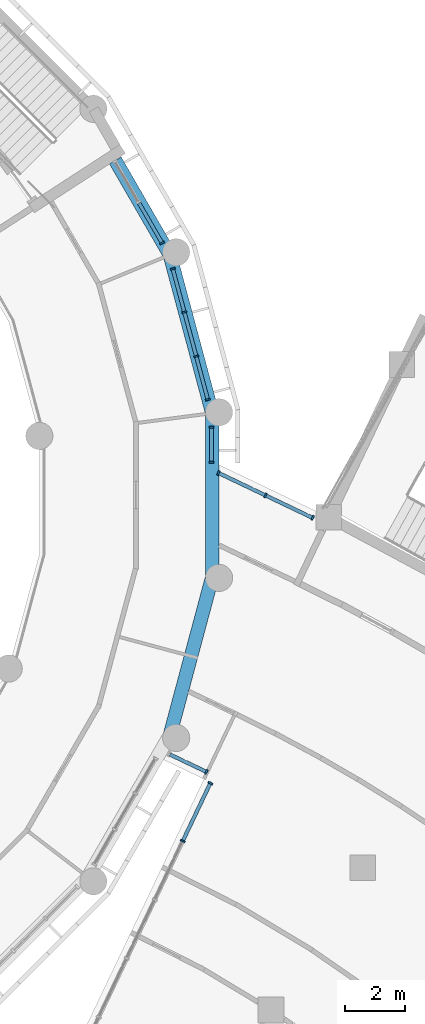
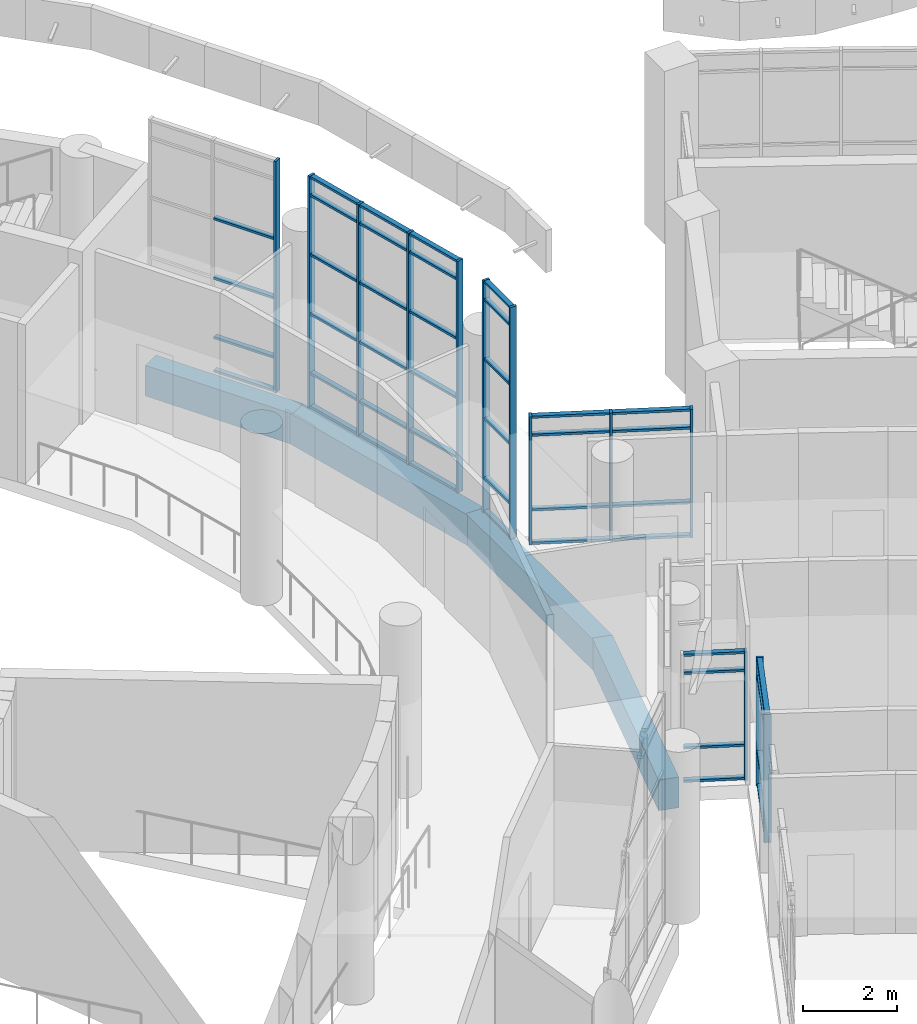
# One storey, part 15 of 136: 57 members, 4 beams, 6 elements without a shape of their own.
"""IFC4 building model written with IfcOpenShell, lengths in metres."""

from ifc_helpers import new_model, si_unit, direction, frame, origin, origin_2d, place, context, subcontext, project, spatial, rectangle, extrude, material, material_profile, profile_set, type_object, element, aggregate, save


model = new_model("IFC4")

# Units and contexts
model_context = context("Model", 3, precision=1e-05, world=origin(), true_north=direction((0.0, 1.0)))
body_context = subcontext(model_context, "Body", "Model", "MODEL_VIEW")
ifc_project = project(units=[si_unit("LENGTHUNIT", "METRE"), si_unit("AREAUNIT", "SQUARE_METRE"), si_unit("VOLUMEUNIT", "CUBIC_METRE"), si_unit("PLANEANGLEUNIT", "RADIAN"), si_unit("MASSUNIT", "GRAM", prefix="KILO")], contexts=[model_context])

# Site, building, storey
site_placement = place(None, origin())
site = spatial("IfcSite", under=ifc_project, at=site_placement, CompositionType="ELEMENT")
building_placement = place(site_placement, origin())
building = spatial("IfcBuilding", under=site, at=building_placement, Name="Bougainvillea Quay General Hospital", CompositionType="ELEMENT")
storey_placement = place(building_placement, frame((0.0, 0.0, 5.39990234375)))
storey = spatial("IfcBuildingStorey", under=building, at=storey_placement, Name="L01", CompositionType="ELEMENT", Elevation=5.39990234375)

# Curtain wall, member
ifc_material_1 = material(Name="Aluminium curtain wall system, powder-coated glazed", Category="aluminium")
curtain_wall_type_1 = type_object("IfcCurtainWallType", Name="Unitised curtain wall CW-1422", PredefinedType="NOTDEFINED", material=ifc_material_1)
curtain_wall_1_placement = place(storey_placement, origin())
curtain_wall_1 = element("IfcCurtainWall", 1, at=curtain_wall_1_placement, inside=storey, type_object=curtain_wall_type_1, Name="CW-AE 00", PredefinedType="NOTDEFINED")
ifc_material_2 = material(Name="Aluminium mullion, powder-coated charcoal", Category="aluminium")
ifc_material_profile_1 = material_profile(ifc_material_2, rectangle(XDim=0.159912109375, YDim=0.06005859375, at=origin_2d()))
ifc_profile_set_1 = profile_set([ifc_material_profile_1], Name="Aluminium mullion, powder-coated charcoal")
member_type_1 = type_object("IfcMemberType", Name="Curtain wall mullion 160x60", PredefinedType="MULLION", material=ifc_profile_set_1)
member_1_placement = place(storey_placement, frame((129.6005859375, 64.840576171875, 0.0), z_axis=(0.0, 0.0, 1.0), x_axis=(0.430534245195, 0.902574242771, 0.0)))
member_1 = element("IfcMember", 2, at=member_1_placement, type_object=member_type_1, Name="CW-AE mullion 2", PredefinedType="MULLION", context=body_context, shape_type="SweptSolid", body=[
    extrude(rectangle(XDim=0.159912109375, YDim=0.06005859375, at=origin_2d()), origin(), (0.0, 0.0, 1.0), 3.35009765625),
])

# Curtain wall, members
curtain_wall_type_2 = type_object("IfcCurtainWallType", Name="Unitised curtain wall CW-2152", PredefinedType="NOTDEFINED", material=ifc_material_1)
curtain_wall_2_placement = place(storey_placement, origin())
curtain_wall_2 = element("IfcCurtainWall", 3, at=curtain_wall_2_placement, inside=storey, type_object=curtain_wall_type_2, Name="CW-AE 00", PredefinedType="NOTDEFINED")
member_2_placement = place(storey_placement, frame((129.732666015625, 64.46728515625, 0.0), z_axis=(0.0, 0.0, 1.0), x_axis=(0.902576055431, -0.430530445105, 0.0)))
member_2 = element("IfcMember", 4, at=member_2_placement, type_object=member_type_1, Name="CW-AE mullion 1", PredefinedType="MULLION", context=body_context, shape_type="SweptSolid", body=[
    extrude(rectangle(XDim=0.159912109375, YDim=0.06005859375, at=origin_2d()), origin(), (0.0, 0.0, 1.0), 3.35009765625),
])
member_3_placement = place(storey_placement, frame((128.819580078125, 62.552978515625, 0.0), z_axis=(0.0, 0.0, 1.0), x_axis=(0.902576055431, -0.430530445105, 0.0)))
member_3 = element("IfcMember", 5, at=member_3_placement, type_object=member_type_1, Name="CW-AE mullion 2", PredefinedType="MULLION", context=body_context, shape_type="SweptSolid", body=[
    extrude(rectangle(XDim=0.159912109375, YDim=0.06005859375, at=origin_2d()), origin(), (0.0, 0.0, 1.0), 3.35009765625),
])

curtain_wall_type_3 = type_object("IfcCurtainWallType", Name="Unitised curtain wall CW-1757", PredefinedType="NOTDEFINED", material=ifc_material_1)
curtain_wall_3_placement = place(storey_placement, origin())
curtain_wall_3 = element("IfcCurtainWall", 6, at=curtain_wall_3_placement, inside=storey, type_object=curtain_wall_type_3, Name="CW-AE 00", PredefinedType="NOTDEFINED")
member_4_placement = place(storey_placement, frame((133.11669921875, 73.245849609375, 0.0), z_axis=(0.0, 0.0, 1.0), x_axis=(-0.430463026068, -0.902608211345, 0.0)))
member_4 = element("IfcMember", 7, at=member_4_placement, type_object=member_type_1, Name="CW-AE mullion 1", PredefinedType="MULLION", context=body_context, shape_type="SweptSolid", body=[
    extrude(rectangle(XDim=0.159912109375, YDim=0.06005859375, at=origin_2d()), origin(), (0.0, 0.0, 1.0), 3.35009765625),
])
member_5_placement = place(storey_placement, frame((131.55810546875, 73.989013671875, 0.0), z_axis=(0.0, 0.0, 1.0), x_axis=(-0.430463026068, -0.902608211345, 0.0)))
member_5 = element("IfcMember", 8, at=member_5_placement, type_object=member_type_1, Name="CW-AE mullion 2", PredefinedType="MULLION", context=body_context, shape_type="SweptSolid", body=[
    extrude(rectangle(XDim=0.159912109375, YDim=0.06005859375, at=origin_2d()), origin(), (0.0, 0.0, 1.0), 3.35009765625),
])
member_6_placement = place(storey_placement, frame((129.99951171875, 74.732421875, 0.0), z_axis=(0.0, 0.0, 1.0), x_axis=(-0.430463026068, -0.902608211345, 0.0)))
member_6 = element("IfcMember", 9, at=member_6_placement, type_object=member_type_1, Name="CW-AE mullion 3", PredefinedType="MULLION", context=body_context, shape_type="SweptSolid", body=[
    extrude(rectangle(XDim=0.159912109375, YDim=0.06005859375, at=origin_2d()), origin(), (0.0, 0.0, 1.0), 3.35009765625),
])

curtain_wall_type_4 = type_object("IfcCurtainWallType", Name="Unitised curtain wall CW-1211", PredefinedType="NOTDEFINED", material=ifc_material_1)
curtain_wall_4_placement = place(storey_placement, origin())
curtain_wall_4 = element("IfcCurtainWall", 10, at=curtain_wall_4_placement, inside=storey, type_object=curtain_wall_type_4, Name="CW-D 00", PredefinedType="NOTDEFINED")
member_7_placement = place(storey_placement, frame((129.77001953125, 75.090087890625, 0.0), z_axis=(0.0, 0.0, 1.0), x_axis=(-1.0, 0.0, 0.0)))
member_7 = element("IfcMember", 11, at=member_7_placement, type_object=member_type_1, Name="CW-D mullion 1", PredefinedType="MULLION", context=body_context, shape_type="SweptSolid", body=[
    extrude(rectangle(XDim=0.159912109375, YDim=0.06005859375, at=origin_2d()), origin(), (0.0, 0.0, 1.0), 6.050048828125),
])
member_8_placement = place(storey_placement, frame((129.77001953125, 76.240966796875, 0.0), z_axis=(0.0, 0.0, 1.0), x_axis=(-1.0, 0.0, 0.0)))
member_8 = element("IfcMember", 12, at=member_8_placement, type_object=member_type_1, Name="CW-D mullion 2", PredefinedType="MULLION", context=body_context, shape_type="SweptSolid", body=[
    extrude(rectangle(XDim=0.159912109375, YDim=0.06005859375, at=origin_2d()), origin(), (0.0, 0.0, 1.0), 6.050048828125),
])

curtain_wall_type_5 = type_object("IfcCurtainWallType", Name="Unitised curtain wall CW-1514", PredefinedType="NOTDEFINED", material=ifc_material_1)
curtain_wall_5_placement = place(storey_placement, origin())
curtain_wall_5 = element("IfcCurtainWall", 13, at=curtain_wall_5_placement, inside=storey, type_object=curtain_wall_type_5, Name="CW-D 00", PredefinedType="NOTDEFINED")
member_9_placement = place(storey_placement, frame((129.649169921875, 77.1591796875, 0.0), z_axis=(0.0, 0.0, 1.0), x_axis=(-0.965916292974, -0.258854621298, 0.0)))
member_9 = element("IfcMember", 14, at=member_9_placement, type_object=member_type_1, Name="CW-D mullion 1", PredefinedType="MULLION", context=body_context, shape_type="SweptSolid", body=[
    extrude(rectangle(XDim=0.159912109375, YDim=0.06005859375, at=origin_2d()), origin(), (0.0, 0.0, 1.0), 6.050048828125),
])
member_10_placement = place(storey_placement, frame((129.264892578125, 78.592529296875, 0.0), z_axis=(0.0, 0.0, 1.0), x_axis=(-0.965916292974, -0.258854621298, 0.0)))
member_10 = element("IfcMember", 15, at=member_10_placement, type_object=member_type_1, Name="CW-D mullion 2", PredefinedType="MULLION", context=body_context, shape_type="SweptSolid", body=[
    extrude(rectangle(XDim=0.159912109375, YDim=0.06005859375, at=origin_2d()), origin(), (0.0, 0.0, 1.0), 6.050048828125),
])
member_11_placement = place(storey_placement, frame((128.873046875, 80.054931640625, 0.0), z_axis=(0.0, 0.0, 1.0), x_axis=(-0.965916292974, -0.258854621298, 0.0)))
member_11 = element("IfcMember", 16, at=member_11_placement, type_object=member_type_1, Name="CW-D mullion 3", PredefinedType="MULLION", context=body_context, shape_type="SweptSolid", body=[
    extrude(rectangle(XDim=0.159912109375, YDim=0.06005859375, at=origin_2d()), origin(), (0.0, 0.0, 1.0), 6.050048828125),
])
member_12_placement = place(storey_placement, frame((128.489013671875, 81.48828125, 0.0), z_axis=(0.0, 0.0, 1.0), x_axis=(-0.965916292974, -0.258854621298, 0.0)))
member_12 = element("IfcMember", 17, at=member_12_placement, type_object=member_type_1, Name="CW-D mullion 4", PredefinedType="MULLION", context=body_context, shape_type="SweptSolid", body=[
    extrude(rectangle(XDim=0.159912109375, YDim=0.06005859375, at=origin_2d()), origin(), (0.0, 0.0, 1.0), 6.050048828125),
])

# Curtain wall, member
curtain_wall_type_6 = type_object("IfcCurtainWallType", Name="Unitised curtain wall CW-1585", PredefinedType="NOTDEFINED", material=ifc_material_1)
curtain_wall_6_placement = place(storey_placement, origin())
curtain_wall_6 = element("IfcCurtainWall", 18, at=curtain_wall_6_placement, inside=storey, type_object=curtain_wall_type_6, Name="CW-D 00", PredefinedType="NOTDEFINED")
member_13_placement = place(storey_placement, frame((128.134521484375, 82.343994140625, 0.0), z_axis=(0.0, 0.0, 1.0), x_axis=(-0.866045865692, -0.499964557262, 0.0)))
member_13 = element("IfcMember", 19, at=member_13_placement, type_object=member_type_1, Name="CW-D mullion 1", PredefinedType="MULLION", context=body_context, shape_type="SweptSolid", body=[
    extrude(rectangle(XDim=0.159912109375, YDim=0.06005859375, at=origin_2d()), origin(), (0.0, 0.0, 1.0), 6.050048828125),
])

# Member
ifc_material_3 = material(Name="Aluminium transom, powder-coated charcoal", Category="aluminium")
ifc_material_profile_2 = material_profile(ifc_material_3, rectangle(XDim=0.1201171875, YDim=0.06005859375, at=origin_2d()))
ifc_profile_set_2 = profile_set([ifc_material_profile_2], Name="Aluminium transom, powder-coated charcoal")
member_type_2 = type_object("IfcMemberType", Name="Curtain wall transom 120x60", PredefinedType="USERDEFINED", material=ifc_profile_set_2)
member_14_placement = place(storey_placement, frame((128.398681640625, 65.413818359375, 0.030029296875), z_axis=(0.902600317452, -0.430479577837, 0.0), x_axis=(0.430479577837, 0.902600317452, 0.0)))
member_14 = element("IfcMember", 20, at=member_14_placement, type_object=member_type_2, Name="CW-AE transom 1.1", ObjectType="TRANSOM", PredefinedType="USERDEFINED", context=body_context, shape_type="SweptSolid", body=[
    extrude(rectangle(XDim=0.1201171875, YDim=0.06005859375, at=origin_2d()), origin(), (0.0, 0.0, 1.0), 1.301513671875),
])

member_15_placement = place(storey_placement, frame((128.398681640625, 65.413818359375, 0.900146484375), z_axis=(0.902600317452, -0.430479577837, 0.0), x_axis=(0.430479577837, 0.902600317452, 0.0)))
member_15 = element("IfcMember", 21, at=member_15_placement, type_object=member_type_2, Name="CW-AE transom 1.2", ObjectType="TRANSOM", PredefinedType="USERDEFINED", context=body_context, shape_type="SweptSolid", body=[
    extrude(rectangle(XDim=0.1201171875, YDim=0.06005859375, at=origin_2d()), origin(), (0.0, 0.0, 1.0), 1.301513671875),
])

member_16_placement = place(storey_placement, frame((128.398681640625, 65.413818359375, 2.85009765625), z_axis=(0.902600317452, -0.430479577837, 0.0), x_axis=(0.430479577837, 0.902600317452, 0.0)))
member_16 = element("IfcMember", 22, at=member_16_placement, type_object=member_type_2, Name="CW-AE transom 1.3", ObjectType="TRANSOM", PredefinedType="USERDEFINED", context=body_context, shape_type="SweptSolid", body=[
    extrude(rectangle(XDim=0.1201171875, YDim=0.06005859375, at=origin_2d()), origin(), (0.0, 0.0, 1.0), 1.301513671875),
])

member_17_placement = place(storey_placement, frame((128.398681640625, 65.413818359375, 3.320068359375), z_axis=(0.902600317452, -0.430479577837, 0.0), x_axis=(0.430479577837, 0.902600317452, 0.0)))
member_17 = element("IfcMember", 23, at=member_17_placement, type_object=member_type_2, Name="CW-AE transom 1.4", ObjectType="TRANSOM", PredefinedType="USERDEFINED", context=body_context, shape_type="SweptSolid", body=[
    extrude(rectangle(XDim=0.1201171875, YDim=0.06005859375, at=origin_2d()), origin(), (0.0, 0.0, 1.0), 1.301513671875),
])

aggregate(curtain_wall_1, [member_1, member_14, member_15, member_16, member_17])

member_18_placement = place(storey_placement, frame((129.7197265625, 64.440185546875, 0.030029296875), z_axis=(-0.430503705773, -0.902588809655, 0.0), x_axis=(0.902588809655, -0.430503705773, 0.0)))
member_18 = element("IfcMember", 24, at=member_18_placement, type_object=member_type_2, Name="CW-AE transom 1.1", ObjectType="TRANSOM", PredefinedType="USERDEFINED", context=body_context, shape_type="SweptSolid", body=[
    extrude(rectangle(XDim=0.1201171875, YDim=0.06005859375, at=origin_2d()), origin(), (0.0, 0.0, 1.0), 2.060791015625),
])

member_19_placement = place(storey_placement, frame((129.7197265625, 64.440185546875, 0.900146484375), z_axis=(-0.430503705773, -0.902588809655, 0.0), x_axis=(0.902588809655, -0.430503705773, 0.0)))
member_19 = element("IfcMember", 25, at=member_19_placement, type_object=member_type_2, Name="CW-AE transom 1.2", ObjectType="TRANSOM", PredefinedType="USERDEFINED", context=body_context, shape_type="SweptSolid", body=[
    extrude(rectangle(XDim=0.1201171875, YDim=0.06005859375, at=origin_2d()), origin(), (0.0, 0.0, 1.0), 2.060791015625),
])

member_20_placement = place(storey_placement, frame((129.7197265625, 64.440185546875, 2.85009765625), z_axis=(-0.430503705773, -0.902588809655, 0.0), x_axis=(0.902588809655, -0.430503705773, 0.0)))
member_20 = element("IfcMember", 26, at=member_20_placement, type_object=member_type_2, Name="CW-AE transom 1.3", ObjectType="TRANSOM", PredefinedType="USERDEFINED", context=body_context, shape_type="SweptSolid", body=[
    extrude(rectangle(XDim=0.1201171875, YDim=0.06005859375, at=origin_2d()), origin(), (0.0, 0.0, 1.0), 2.060791015625),
])

member_21_placement = place(storey_placement, frame((129.7197265625, 64.440185546875, 3.320068359375), z_axis=(-0.430503705773, -0.902588809655, 0.0), x_axis=(0.902588809655, -0.430503705773, 0.0)))
member_21 = element("IfcMember", 27, at=member_21_placement, type_object=member_type_2, Name="CW-AE transom 1.4", ObjectType="TRANSOM", PredefinedType="USERDEFINED", context=body_context, shape_type="SweptSolid", body=[
    extrude(rectangle(XDim=0.1201171875, YDim=0.06005859375, at=origin_2d()), origin(), (0.0, 0.0, 1.0), 2.060791015625),
])

aggregate(curtain_wall_2, [member_2, member_3, member_18, member_19, member_20, member_21])

member_22_placement = place(storey_placement, frame((133.089599609375, 73.2587890625, 0.030029296875), z_axis=(-0.902592298262, 0.430496391527, 0.0), x_axis=(-0.430496391527, -0.902592298262, 0.0)))
member_22 = element("IfcMember", 28, at=member_22_placement, type_object=member_type_2, Name="CW-AE transom 1.1", ObjectType="TRANSOM", PredefinedType="USERDEFINED", context=body_context, shape_type="SweptSolid", body=[
    extrude(rectangle(XDim=0.1201171875, YDim=0.06005859375, at=origin_2d()), origin(), (0.0, 0.0, 1.0), 1.666748046875),
])

member_23_placement = place(storey_placement, frame((133.089599609375, 73.2587890625, 0.900146484375), z_axis=(-0.902592298262, 0.430496391527, 0.0), x_axis=(-0.430496391527, -0.902592298262, 0.0)))
member_23 = element("IfcMember", 29, at=member_23_placement, type_object=member_type_2, Name="CW-AE transom 1.2", ObjectType="TRANSOM", PredefinedType="USERDEFINED", context=body_context, shape_type="SweptSolid", body=[
    extrude(rectangle(XDim=0.1201171875, YDim=0.06005859375, at=origin_2d()), origin(), (0.0, 0.0, 1.0), 1.666748046875),
])

member_24_placement = place(storey_placement, frame((133.089599609375, 73.2587890625, 2.85009765625), z_axis=(-0.902592298262, 0.430496391527, 0.0), x_axis=(-0.430496391527, -0.902592298262, 0.0)))
member_24 = element("IfcMember", 30, at=member_24_placement, type_object=member_type_2, Name="CW-AE transom 1.3", ObjectType="TRANSOM", PredefinedType="USERDEFINED", context=body_context, shape_type="SweptSolid", body=[
    extrude(rectangle(XDim=0.1201171875, YDim=0.06005859375, at=origin_2d()), origin(), (0.0, 0.0, 1.0), 1.666748046875),
])

member_25_placement = place(storey_placement, frame((133.089599609375, 73.2587890625, 3.320068359375), z_axis=(-0.902592298262, 0.430496391527, 0.0), x_axis=(-0.430496391527, -0.902592298262, 0.0)))
member_25 = element("IfcMember", 31, at=member_25_placement, type_object=member_type_2, Name="CW-AE transom 1.4", ObjectType="TRANSOM", PredefinedType="USERDEFINED", context=body_context, shape_type="SweptSolid", body=[
    extrude(rectangle(XDim=0.1201171875, YDim=0.06005859375, at=origin_2d()), origin(), (0.0, 0.0, 1.0), 1.666748046875),
])

member_26_placement = place(storey_placement, frame((131.531005859375, 74.001953125, 0.030029296875), z_axis=(-0.902592298262, 0.430496391527, 0.0), x_axis=(-0.430496391527, -0.902592298262, 0.0)))
member_26 = element("IfcMember", 32, at=member_26_placement, type_object=member_type_2, Name="CW-AE transom 2.1", ObjectType="TRANSOM", PredefinedType="USERDEFINED", context=body_context, shape_type="SweptSolid", body=[
    extrude(rectangle(XDim=0.1201171875, YDim=0.06005859375, at=origin_2d()), origin(), (0.0, 0.0, 1.0), 1.666748046875),
])

member_27_placement = place(storey_placement, frame((131.531005859375, 74.001953125, 0.900146484375), z_axis=(-0.902592298262, 0.430496391527, 0.0), x_axis=(-0.430496391527, -0.902592298262, 0.0)))
member_27 = element("IfcMember", 33, at=member_27_placement, type_object=member_type_2, Name="CW-AE transom 2.2", ObjectType="TRANSOM", PredefinedType="USERDEFINED", context=body_context, shape_type="SweptSolid", body=[
    extrude(rectangle(XDim=0.1201171875, YDim=0.06005859375, at=origin_2d()), origin(), (0.0, 0.0, 1.0), 1.666748046875),
])

member_28_placement = place(storey_placement, frame((131.531005859375, 74.001953125, 2.85009765625), z_axis=(-0.902592298262, 0.430496391527, 0.0), x_axis=(-0.430496391527, -0.902592298262, 0.0)))
member_28 = element("IfcMember", 34, at=member_28_placement, type_object=member_type_2, Name="CW-AE transom 2.3", ObjectType="TRANSOM", PredefinedType="USERDEFINED", context=body_context, shape_type="SweptSolid", body=[
    extrude(rectangle(XDim=0.1201171875, YDim=0.06005859375, at=origin_2d()), origin(), (0.0, 0.0, 1.0), 1.666748046875),
])

member_29_placement = place(storey_placement, frame((131.531005859375, 74.001953125, 3.320068359375), z_axis=(-0.902592298262, 0.430496391527, 0.0), x_axis=(-0.430496391527, -0.902592298262, 0.0)))
member_29 = element("IfcMember", 35, at=member_29_placement, type_object=member_type_2, Name="CW-AE transom 2.4", ObjectType="TRANSOM", PredefinedType="USERDEFINED", context=body_context, shape_type="SweptSolid", body=[
    extrude(rectangle(XDim=0.1201171875, YDim=0.06005859375, at=origin_2d()), origin(), (0.0, 0.0, 1.0), 1.666748046875),
])

aggregate(curtain_wall_3, [member_4, member_5, member_6, member_22, member_23, member_24, member_25, member_26, member_27, member_28, member_29])

member_30_placement = place(storey_placement, frame((129.77001953125, 75.1201171875, 0.030029296875), z_axis=(0.0, 1.0, 0.0), x_axis=(-1.0, 0.0, 0.0)))
member_30 = element("IfcMember", 36, at=member_30_placement, type_object=member_type_2, Name="CW-D transom 1.1", ObjectType="TRANSOM", PredefinedType="USERDEFINED", context=body_context, shape_type="SweptSolid", body=[
    extrude(rectangle(XDim=0.1201171875, YDim=0.06005859375, at=origin_2d()), origin(), (0.0, 0.0, 1.0), 1.0908203125),
])

member_31_placement = place(storey_placement, frame((129.77001953125, 75.1201171875, 0.900146484375), z_axis=(0.0, 1.0, 0.0), x_axis=(-1.0, 0.0, 0.0)))
member_31 = element("IfcMember", 37, at=member_31_placement, type_object=member_type_2, Name="CW-D transom 1.2", ObjectType="TRANSOM", PredefinedType="USERDEFINED", context=body_context, shape_type="SweptSolid", body=[
    extrude(rectangle(XDim=0.1201171875, YDim=0.06005859375, at=origin_2d()), origin(), (0.0, 0.0, 1.0), 1.0908203125),
])

member_32_placement = place(storey_placement, frame((129.77001953125, 75.1201171875, 2.4501953125), z_axis=(0.0, 1.0, 0.0), x_axis=(-1.0, 0.0, 0.0)))
member_32 = element("IfcMember", 38, at=member_32_placement, type_object=member_type_2, Name="CW-D transom 1.3", ObjectType="TRANSOM", PredefinedType="USERDEFINED", context=body_context, shape_type="SweptSolid", body=[
    extrude(rectangle(XDim=0.1201171875, YDim=0.06005859375, at=origin_2d()), origin(), (0.0, 0.0, 1.0), 1.0908203125),
])

member_33_placement = place(storey_placement, frame((129.77001953125, 75.1201171875, 4.0), z_axis=(0.0, 1.0, 0.0), x_axis=(-1.0, 0.0, 0.0)))
member_33 = element("IfcMember", 39, at=member_33_placement, type_object=member_type_2, Name="CW-D transom 1.4", ObjectType="TRANSOM", PredefinedType="USERDEFINED", context=body_context, shape_type="SweptSolid", body=[
    extrude(rectangle(XDim=0.1201171875, YDim=0.06005859375, at=origin_2d()), origin(), (0.0, 0.0, 1.0), 1.0908203125),
])

member_34_placement = place(storey_placement, frame((129.77001953125, 75.1201171875, 5.550048828125), z_axis=(0.0, 1.0, 0.0), x_axis=(-1.0, 0.0, 0.0)))
member_34 = element("IfcMember", 40, at=member_34_placement, type_object=member_type_2, Name="CW-D transom 1.5", ObjectType="TRANSOM", PredefinedType="USERDEFINED", context=body_context, shape_type="SweptSolid", body=[
    extrude(rectangle(XDim=0.1201171875, YDim=0.06005859375, at=origin_2d()), origin(), (0.0, 0.0, 1.0), 1.0908203125),
])

member_35_placement = place(storey_placement, frame((129.77001953125, 75.1201171875, 6.02001953125), z_axis=(0.0, 1.0, 0.0), x_axis=(-1.0, 0.0, 0.0)))
member_35 = element("IfcMember", 41, at=member_35_placement, type_object=member_type_2, Name="CW-D transom 1.6", ObjectType="TRANSOM", PredefinedType="USERDEFINED", context=body_context, shape_type="SweptSolid", body=[
    extrude(rectangle(XDim=0.1201171875, YDim=0.06005859375, at=origin_2d()), origin(), (0.0, 0.0, 1.0), 1.0908203125),
])

aggregate(curtain_wall_4, [member_7, member_8, member_30, member_31, member_32, member_33, member_34, member_35])

member_36_placement = place(storey_placement, frame((129.641357421875, 77.188232421875, 0.030029296875), z_axis=(-0.258878909043, 0.965909783806, 0.0), x_axis=(-0.965909783806, -0.258878909043, 0.0)))
member_36 = element("IfcMember", 42, at=member_36_placement, type_object=member_type_2, Name="CW-D transom 1.1", ObjectType="TRANSOM", PredefinedType="USERDEFINED", context=body_context, shape_type="SweptSolid", body=[
    extrude(rectangle(XDim=0.1201171875, YDim=0.06005859375, at=origin_2d()), origin(), (0.0, 0.0, 1.0), 1.424072265625),
])

member_37_placement = place(storey_placement, frame((129.641357421875, 77.188232421875, 0.900146484375), z_axis=(-0.258878909043, 0.965909783806, 0.0), x_axis=(-0.965909783806, -0.258878909043, 0.0)))
member_37 = element("IfcMember", 43, at=member_37_placement, type_object=member_type_2, Name="CW-D transom 1.2", ObjectType="TRANSOM", PredefinedType="USERDEFINED", context=body_context, shape_type="SweptSolid", body=[
    extrude(rectangle(XDim=0.1201171875, YDim=0.06005859375, at=origin_2d()), origin(), (0.0, 0.0, 1.0), 1.424072265625),
])

member_38_placement = place(storey_placement, frame((129.641357421875, 77.188232421875, 2.4501953125), z_axis=(-0.258878909043, 0.965909783806, 0.0), x_axis=(-0.965909783806, -0.258878909043, 0.0)))
member_38 = element("IfcMember", 44, at=member_38_placement, type_object=member_type_2, Name="CW-D transom 1.3", ObjectType="TRANSOM", PredefinedType="USERDEFINED", context=body_context, shape_type="SweptSolid", body=[
    extrude(rectangle(XDim=0.1201171875, YDim=0.06005859375, at=origin_2d()), origin(), (0.0, 0.0, 1.0), 1.424072265625),
])

member_39_placement = place(storey_placement, frame((129.641357421875, 77.188232421875, 4.0), z_axis=(-0.258878909043, 0.965909783806, 0.0), x_axis=(-0.965909783806, -0.258878909043, 0.0)))
member_39 = element("IfcMember", 45, at=member_39_placement, type_object=member_type_2, Name="CW-D transom 1.4", ObjectType="TRANSOM", PredefinedType="USERDEFINED", context=body_context, shape_type="SweptSolid", body=[
    extrude(rectangle(XDim=0.1201171875, YDim=0.06005859375, at=origin_2d()), origin(), (0.0, 0.0, 1.0), 1.424072265625),
])

member_40_placement = place(storey_placement, frame((129.641357421875, 77.188232421875, 5.550048828125), z_axis=(-0.258878909043, 0.965909783806, 0.0), x_axis=(-0.965909783806, -0.258878909043, 0.0)))
member_40 = element("IfcMember", 46, at=member_40_placement, type_object=member_type_2, Name="CW-D transom 1.5", ObjectType="TRANSOM", PredefinedType="USERDEFINED", context=body_context, shape_type="SweptSolid", body=[
    extrude(rectangle(XDim=0.1201171875, YDim=0.06005859375, at=origin_2d()), origin(), (0.0, 0.0, 1.0), 1.424072265625),
])

member_41_placement = place(storey_placement, frame((129.641357421875, 77.188232421875, 6.02001953125), z_axis=(-0.258878909043, 0.965909783806, 0.0), x_axis=(-0.965909783806, -0.258878909043, 0.0)))
member_41 = element("IfcMember", 47, at=member_41_placement, type_object=member_type_2, Name="CW-D transom 1.6", ObjectType="TRANSOM", PredefinedType="USERDEFINED", context=body_context, shape_type="SweptSolid", body=[
    extrude(rectangle(XDim=0.1201171875, YDim=0.06005859375, at=origin_2d()), origin(), (0.0, 0.0, 1.0), 1.424072265625),
])

member_42_placement = place(storey_placement, frame((129.257080078125, 78.62158203125, 0.030029296875), z_axis=(-0.258780853081, 0.965936059001, 0.0), x_axis=(-0.965936059001, -0.258780853081, 0.0)))
member_42 = element("IfcMember", 48, at=member_42_placement, type_object=member_type_2, Name="CW-D transom 2.1", ObjectType="TRANSOM", PredefinedType="USERDEFINED", context=body_context, shape_type="SweptSolid", body=[
    extrude(rectangle(XDim=0.1201171875, YDim=0.06005859375, at=origin_2d()), origin(), (0.0, 0.0, 1.0), 1.453857421875),
])

member_43_placement = place(storey_placement, frame((129.257080078125, 78.62158203125, 0.900146484375), z_axis=(-0.258780853081, 0.965936059001, 0.0), x_axis=(-0.965936059001, -0.258780853081, 0.0)))
member_43 = element("IfcMember", 49, at=member_43_placement, type_object=member_type_2, Name="CW-D transom 2.2", ObjectType="TRANSOM", PredefinedType="USERDEFINED", context=body_context, shape_type="SweptSolid", body=[
    extrude(rectangle(XDim=0.1201171875, YDim=0.06005859375, at=origin_2d()), origin(), (0.0, 0.0, 1.0), 1.453857421875),
])

member_44_placement = place(storey_placement, frame((129.257080078125, 78.62158203125, 2.4501953125), z_axis=(-0.258780853081, 0.965936059001, 0.0), x_axis=(-0.965936059001, -0.258780853081, 0.0)))
member_44 = element("IfcMember", 50, at=member_44_placement, type_object=member_type_2, Name="CW-D transom 2.3", ObjectType="TRANSOM", PredefinedType="USERDEFINED", context=body_context, shape_type="SweptSolid", body=[
    extrude(rectangle(XDim=0.1201171875, YDim=0.06005859375, at=origin_2d()), origin(), (0.0, 0.0, 1.0), 1.453857421875),
])

member_45_placement = place(storey_placement, frame((129.257080078125, 78.62158203125, 4.0), z_axis=(-0.258780853081, 0.965936059001, 0.0), x_axis=(-0.965936059001, -0.258780853081, 0.0)))
member_45 = element("IfcMember", 51, at=member_45_placement, type_object=member_type_2, Name="CW-D transom 2.4", ObjectType="TRANSOM", PredefinedType="USERDEFINED", context=body_context, shape_type="SweptSolid", body=[
    extrude(rectangle(XDim=0.1201171875, YDim=0.06005859375, at=origin_2d()), origin(), (0.0, 0.0, 1.0), 1.453857421875),
])

member_46_placement = place(storey_placement, frame((129.257080078125, 78.62158203125, 5.550048828125), z_axis=(-0.258780853081, 0.965936059001, 0.0), x_axis=(-0.965936059001, -0.258780853081, 0.0)))
member_46 = element("IfcMember", 52, at=member_46_placement, type_object=member_type_2, Name="CW-D transom 2.5", ObjectType="TRANSOM", PredefinedType="USERDEFINED", context=body_context, shape_type="SweptSolid", body=[
    extrude(rectangle(XDim=0.1201171875, YDim=0.06005859375, at=origin_2d()), origin(), (0.0, 0.0, 1.0), 1.453857421875),
])

member_47_placement = place(storey_placement, frame((129.257080078125, 78.62158203125, 6.02001953125), z_axis=(-0.258780853081, 0.965936059001, 0.0), x_axis=(-0.965936059001, -0.258780853081, 0.0)))
member_47 = element("IfcMember", 53, at=member_47_placement, type_object=member_type_2, Name="CW-D transom 2.6", ObjectType="TRANSOM", PredefinedType="USERDEFINED", context=body_context, shape_type="SweptSolid", body=[
    extrude(rectangle(XDim=0.1201171875, YDim=0.06005859375, at=origin_2d()), origin(), (0.0, 0.0, 1.0), 1.453857421875),
])

member_48_placement = place(storey_placement, frame((128.865234375, 80.083984375, 0.030029296875), z_axis=(-0.258718945225, 0.965952642411, 0.0), x_axis=(-0.965952642411, -0.258718945225, 0.0)))
member_48 = element("IfcMember", 54, at=member_48_placement, type_object=member_type_2, Name="CW-D transom 3.1", ObjectType="TRANSOM", PredefinedType="USERDEFINED", context=body_context, shape_type="SweptSolid", body=[
    extrude(rectangle(XDim=0.1201171875, YDim=0.06005859375, at=origin_2d()), origin(), (0.0, 0.0, 1.0), 1.424072265625),
])

member_49_placement = place(storey_placement, frame((128.865234375, 80.083984375, 0.900146484375), z_axis=(-0.258718945225, 0.965952642411, 0.0), x_axis=(-0.965952642411, -0.258718945225, 0.0)))
member_49 = element("IfcMember", 55, at=member_49_placement, type_object=member_type_2, Name="CW-D transom 3.2", ObjectType="TRANSOM", PredefinedType="USERDEFINED", context=body_context, shape_type="SweptSolid", body=[
    extrude(rectangle(XDim=0.1201171875, YDim=0.06005859375, at=origin_2d()), origin(), (0.0, 0.0, 1.0), 1.424072265625),
])

member_50_placement = place(storey_placement, frame((128.865234375, 80.083984375, 2.4501953125), z_axis=(-0.258718945225, 0.965952642411, 0.0), x_axis=(-0.965952642411, -0.258718945225, 0.0)))
member_50 = element("IfcMember", 56, at=member_50_placement, type_object=member_type_2, Name="CW-D transom 3.3", ObjectType="TRANSOM", PredefinedType="USERDEFINED", context=body_context, shape_type="SweptSolid", body=[
    extrude(rectangle(XDim=0.1201171875, YDim=0.06005859375, at=origin_2d()), origin(), (0.0, 0.0, 1.0), 1.424072265625),
])

member_51_placement = place(storey_placement, frame((128.865234375, 80.083984375, 4.0), z_axis=(-0.258718945225, 0.965952642411, 0.0), x_axis=(-0.965952642411, -0.258718945225, 0.0)))
member_51 = element("IfcMember", 57, at=member_51_placement, type_object=member_type_2, Name="CW-D transom 3.4", ObjectType="TRANSOM", PredefinedType="USERDEFINED", context=body_context, shape_type="SweptSolid", body=[
    extrude(rectangle(XDim=0.1201171875, YDim=0.06005859375, at=origin_2d()), origin(), (0.0, 0.0, 1.0), 1.424072265625),
])

member_52_placement = place(storey_placement, frame((128.865234375, 80.083984375, 5.550048828125), z_axis=(-0.258718945225, 0.965952642411, 0.0), x_axis=(-0.965952642411, -0.258718945225, 0.0)))
member_52 = element("IfcMember", 58, at=member_52_placement, type_object=member_type_2, Name="CW-D transom 3.5", ObjectType="TRANSOM", PredefinedType="USERDEFINED", context=body_context, shape_type="SweptSolid", body=[
    extrude(rectangle(XDim=0.1201171875, YDim=0.06005859375, at=origin_2d()), origin(), (0.0, 0.0, 1.0), 1.424072265625),
])

member_53_placement = place(storey_placement, frame((128.865234375, 80.083984375, 6.02001953125), z_axis=(-0.258718945225, 0.965952642411, 0.0), x_axis=(-0.965952642411, -0.258718945225, 0.0)))
member_53 = element("IfcMember", 59, at=member_53_placement, type_object=member_type_2, Name="CW-D transom 3.6", ObjectType="TRANSOM", PredefinedType="USERDEFINED", context=body_context, shape_type="SweptSolid", body=[
    extrude(rectangle(XDim=0.1201171875, YDim=0.06005859375, at=origin_2d()), origin(), (0.0, 0.0, 1.0), 1.424072265625),
])

aggregate(curtain_wall_5, [member_9, member_10, member_11, member_12, member_36, member_37, member_38, member_39, member_40, member_41, member_42, member_43, member_44, member_45, member_46, member_47, member_48, member_49, member_50, member_51, member_52, member_53])

member_54_placement = place(storey_placement, frame((128.11962890625, 82.3701171875, 0.030029296875), z_axis=(-0.500108879088, 0.865962533287, 0.0), x_axis=(-0.865962533287, -0.500108879088, 0.0)))
member_54 = element("IfcMember", 60, at=member_54_placement, type_object=member_type_2, Name="CW-D transom 1.1", ObjectType="TRANSOM", PredefinedType="USERDEFINED", context=body_context, shape_type="SweptSolid", body=[
    extrude(rectangle(XDim=0.1201171875, YDim=0.06005859375, at=origin_2d()), origin(), (0.0, 0.0, 1.0), 1.494873046875),
])

member_55_placement = place(storey_placement, frame((128.11962890625, 82.3701171875, 0.900146484375), z_axis=(-0.500108879088, 0.865962533287, 0.0), x_axis=(-0.865962533287, -0.500108879088, 0.0)))
member_55 = element("IfcMember", 61, at=member_55_placement, type_object=member_type_2, Name="CW-D transom 1.2", ObjectType="TRANSOM", PredefinedType="USERDEFINED", context=body_context, shape_type="SweptSolid", body=[
    extrude(rectangle(XDim=0.1201171875, YDim=0.06005859375, at=origin_2d()), origin(), (0.0, 0.0, 1.0), 1.494873046875),
])

member_56_placement = place(storey_placement, frame((128.11962890625, 82.3701171875, 2.4501953125), z_axis=(-0.500108879088, 0.865962533287, 0.0), x_axis=(-0.865962533287, -0.500108879088, 0.0)))
member_56 = element("IfcMember", 62, at=member_56_placement, type_object=member_type_2, Name="CW-D transom 1.3", ObjectType="TRANSOM", PredefinedType="USERDEFINED", context=body_context, shape_type="SweptSolid", body=[
    extrude(rectangle(XDim=0.1201171875, YDim=0.06005859375, at=origin_2d()), origin(), (0.0, 0.0, 1.0), 1.494873046875),
])

member_57_placement = place(storey_placement, frame((128.11962890625, 82.3701171875, 4.0), z_axis=(-0.500108879088, 0.865962533287, 0.0), x_axis=(-0.865962533287, -0.500108879088, 0.0)))
member_57 = element("IfcMember", 63, at=member_57_placement, type_object=member_type_2, Name="CW-D transom 1.4", ObjectType="TRANSOM", PredefinedType="USERDEFINED", context=body_context, shape_type="SweptSolid", body=[
    extrude(rectangle(XDim=0.1201171875, YDim=0.06005859375, at=origin_2d()), origin(), (0.0, 0.0, 1.0), 1.494873046875),
])

aggregate(curtain_wall_6, [member_13, member_54, member_55, member_56, member_57])

# Beams
ifc_material_4 = material(Name="Concrete C40", Category="concrete")
ifc_material_profile_3 = material_profile(ifc_material_4, rectangle(XDim=0.449951171875, YDim=0.800048828125, at=origin_2d()))
ifc_profile_set_3 = profile_set([ifc_material_profile_3], Name="Concrete C40")
beam_type = type_object("IfcBeamType", Name="RC BEAM 450x800 C40", PredefinedType="BEAM", material=ifc_profile_set_3)
beam_1_placement = place(storey_placement, frame((128.3837890625, 66.022216796875, -0.699951171875), z_axis=(0.258848876884, 0.965917832393, 0.0), x_axis=(-0.965917832393, 0.258848876884, 0.0)))
element("IfcBeam", 64, at=beam_1_placement, inside=storey, type_object=beam_type, Name="Edge beam L01", PredefinedType="BEAM", context=body_context, shape_type="SweptSolid", body=[
    extrude(rectangle(XDim=0.449951171875, YDim=0.800048828125, at=origin_2d()), origin(), (0.0, 0.0, 1.0), 5.481689453125),
])
beam_2_placement = place(storey_placement, frame((129.794921875, 71.259033203125, -0.699951171875), z_axis=(0.0, 1.0, 0.0), x_axis=(-1.0, 0.0, 0.0)))
element("IfcBeam", 65, at=beam_2_placement, inside=storey, type_object=beam_type, Name="Edge beam L01", PredefinedType="BEAM", context=body_context, shape_type="SweptSolid", body=[
    extrude(rectangle(XDim=0.449951171875, YDim=0.800048828125, at=origin_2d()), origin(), (0.0, 0.0, 1.0), 5.48193359375),
])
beam_3_placement = place(storey_placement, frame((129.802734375, 76.682861328125, -0.699951171875), z_axis=(-0.258848876884, 0.965917832393, 0.0), x_axis=(-0.965917832393, -0.258848876884, 0.0)))
element("IfcBeam", 66, at=beam_3_placement, inside=storey, type_object=beam_type, Name="Edge beam L01", PredefinedType="BEAM", context=body_context, shape_type="SweptSolid", body=[
    extrude(rectangle(XDim=0.449951171875, YDim=0.800048828125, at=origin_2d()), origin(), (0.0, 0.0, 1.0), 5.481689453125),
])
beam_4_placement = place(storey_placement, frame((128.40625, 81.923583984375, -0.699951171875), z_axis=(-0.499976434558, 0.866039008871, 0.0), x_axis=(-0.866039008871, -0.499976434558, 0.0)))
element("IfcBeam", 67, at=beam_4_placement, inside=storey, type_object=beam_type, Name="Edge beam L01", PredefinedType="BEAM", context=body_context, shape_type="SweptSolid", body=[
    extrude(rectangle(XDim=0.449951171875, YDim=0.800048828125, at=origin_2d()), origin(), (0.0, 0.0, 1.0), 3.633544921875),
])

save(model, "model.ifc")
